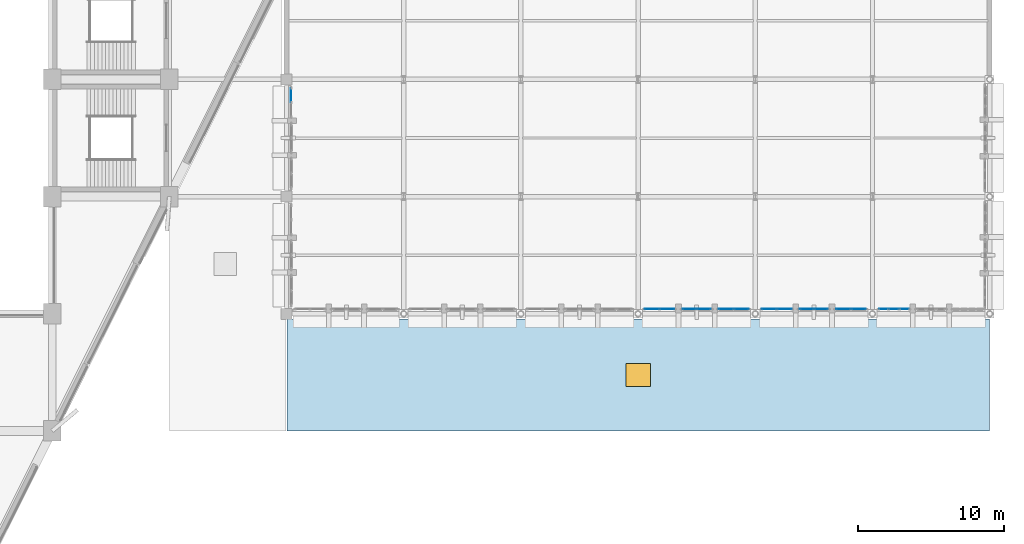
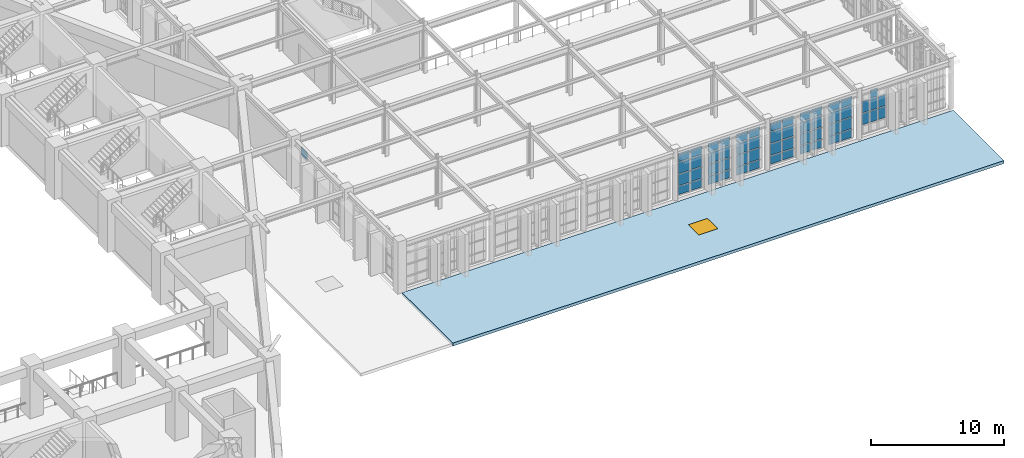
# One storey, part 111 of 155: 56 plates, 1 slab, 1 window, 1 opening, 8 elements without a shape of their own.
"""IFC4 building model written with IfcOpenShell, lengths in metres."""

from ifc_helpers import new_model, si_unit, direction, frame, origin, origin_2d, place, context, subcontext, project, spatial, polyline, rectangle, outline, extrude, material, layer, layer_set, type_object, element, fill, aggregate, save


model = new_model("IFC4")

# Units and contexts
model_context = context("Model", 3, precision=1e-05, world=origin(), true_north=direction((0.0, 1.0)))
body_context = subcontext(model_context, "Body", "Model", "MODEL_VIEW")
ifc_project = project(units=[si_unit("LENGTHUNIT", "METRE"), si_unit("AREAUNIT", "SQUARE_METRE"), si_unit("VOLUMEUNIT", "CUBIC_METRE"), si_unit("PLANEANGLEUNIT", "RADIAN"), si_unit("MASSUNIT", "GRAM", prefix="KILO")], contexts=[model_context])

# Site, building, storey
site_placement = place(None, origin())
site = spatial("IfcSite", under=ifc_project, at=site_placement, CompositionType="ELEMENT")
building_placement = place(site_placement, origin())
building = spatial("IfcBuilding", under=site, at=building_placement, Name="Tazarka Park Arena", CompositionType="ELEMENT")
storey_placement = place(building_placement, frame((0.0, 0.0, 5.39990234375)))
storey = spatial("IfcBuildingStorey", under=building, at=storey_placement, Name="L01", CompositionType="ELEMENT", Elevation=5.39990234375)

# Curtain wall, plate
ifc_material_1 = material(Name="Aluminium and low-e glass", Category="aluminium")
ifc_layer_1 = layer(ifc_material_1, 0.179931640625, Name="Aluminium and low-e glass")
ifc_layer_set_1 = layer_set([ifc_layer_1], Name="Aluminium and low-e glass")
curtain_wall_type_1 = type_object("IfcCurtainWallType", Name="CW-12", PredefinedType="NOTDEFINED", material=ifc_layer_set_1)
curtain_wall_1_placement = place(storey_placement, origin())
curtain_wall_1 = element("IfcCurtainWall", 1, at=curtain_wall_1_placement, inside=storey, type_object=curtain_wall_type_1, Name="Curtain Wall CWA-L01-162", PredefinedType="NOTDEFINED")
ifc_material_2 = material(Name="Double low-e insulated glazing", Category="glass")
ifc_layer_2 = layer(ifc_material_2, 0.028076171875, Name="Double low-e insulated glazing")
ifc_layer_set_2 = layer_set([ifc_layer_2], Name="Double low-e insulated glazing")
plate_type_1 = type_object("IfcPlateType", Name="CWP-01", PredefinedType="CURTAIN_PANEL", material=ifc_layer_set_2)
plate_1_placement = place(storey_placement, frame((136.320068359375, 54.91552734375, 3.08251953125), z_axis=(0.0, 0.0, 1.0), x_axis=(0.0, 1.0, 0.0)))
plate_1 = element("IfcPlate", 2, at=plate_1_placement, type_object=plate_type_1, Name="CW-12 panel 2.4", PredefinedType="CURTAIN_PANEL", context=body_context, shape_type="SweptSolid", body=[
    extrude(rectangle(XDim=0.92919921875, YDim=0.028076171875, at=origin_2d()), origin(), (0.0, 0.0, 1.0), 0.75244140625),
])
aggregate(curtain_wall_1, [plate_1])

# Curtain wall, plates
ifc_material_3 = material(Name="Aluminium and low-e glass", Category="aluminium")
ifc_layer_3 = layer(ifc_material_3, 0.179931640625, Name="Aluminium and low-e glass")
ifc_layer_set_3 = layer_set([ifc_layer_3], Name="Aluminium and low-e glass")
curtain_wall_type_2 = type_object("IfcCurtainWallType", Name="CW-27", PredefinedType="NOTDEFINED", material=ifc_layer_set_3)
curtain_wall_2_placement = place(storey_placement, origin())
curtain_wall_2 = element("IfcCurtainWall", 3, at=curtain_wall_2_placement, inside=storey, type_object=curtain_wall_type_2, Name="Curtain Wall CWA-L01-177", PredefinedType="NOTDEFINED")
plate_2_placement = place(storey_placement, frame((161.992919921875, 40.320068359375, 0.065185546875), z_axis=(0.0, 0.0, 1.0), x_axis=(-1.0, 0.0, 0.0)))
plate_2 = element("IfcPlate", 4, at=plate_2_placement, type_object=plate_type_1, Name="CW-27 panel 1.1", PredefinedType="CURTAIN_PANEL", context=body_context, shape_type="SweptSolid", body=[
    extrude(rectangle(XDim=0.986328125, YDim=0.028076171875, at=origin_2d()), origin(), (0.0, 0.0, 1.0), 0.75244140625),
])
plate_3_placement = place(storey_placement, frame((161.992919921875, 40.320068359375, 0.8828125), z_axis=(0.0, 0.0, 1.0), x_axis=(-1.0, 0.0, 0.0)))
plate_3 = element("IfcPlate", 5, at=plate_3_placement, type_object=plate_type_1, Name="CW-27 panel 1.2", PredefinedType="CURTAIN_PANEL", context=body_context, shape_type="SweptSolid", body=[
    extrude(rectangle(XDim=0.986328125, YDim=0.028076171875, at=origin_2d()), origin(), (0.0, 0.0, 1.0), 1.034912109375),
])
plate_4_placement = place(storey_placement, frame((161.992919921875, 40.320068359375, 1.982421875), z_axis=(0.0, 0.0, 1.0), x_axis=(-1.0, 0.0, 0.0)))
plate_4 = element("IfcPlate", 6, at=plate_4_placement, type_object=plate_type_1, Name="CW-27 panel 1.3", PredefinedType="CURTAIN_PANEL", context=body_context, shape_type="SweptSolid", body=[
    extrude(rectangle(XDim=0.986328125, YDim=0.028076171875, at=origin_2d()), origin(), (0.0, 0.0, 1.0), 1.034912109375),
])
plate_5_placement = place(storey_placement, frame((161.992919921875, 40.320068359375, 3.08251953125), z_axis=(0.0, 0.0, 1.0), x_axis=(-1.0, 0.0, 0.0)))
plate_5 = element("IfcPlate", 7, at=plate_5_placement, type_object=plate_type_1, Name="CW-27 panel 1.4", PredefinedType="CURTAIN_PANEL", context=body_context, shape_type="SweptSolid", body=[
    extrude(rectangle(XDim=0.986328125, YDim=0.028076171875, at=origin_2d()), origin(), (0.0, 0.0, 1.0), 0.762451171875),
])
plate_6_placement = place(storey_placement, frame((160.94140625, 40.320068359375, 0.065185546875), z_axis=(0.0, 0.0, 1.0), x_axis=(-1.0, 0.0, 0.0)))
plate_6 = element("IfcPlate", 8, at=plate_6_placement, type_object=plate_type_1, Name="CW-27 panel 2.1", PredefinedType="CURTAIN_PANEL", context=body_context, shape_type="SweptSolid", body=[
    extrude(rectangle(XDim=0.986328125, YDim=0.028076171875, at=origin_2d()), origin(), (0.0, 0.0, 1.0), 0.75244140625),
])
plate_7_placement = place(storey_placement, frame((160.94140625, 40.320068359375, 0.8828125), z_axis=(0.0, 0.0, 1.0), x_axis=(-1.0, 0.0, 0.0)))
plate_7 = element("IfcPlate", 9, at=plate_7_placement, type_object=plate_type_1, Name="CW-27 panel 2.2", PredefinedType="CURTAIN_PANEL", context=body_context, shape_type="SweptSolid", body=[
    extrude(rectangle(XDim=0.986328125, YDim=0.028076171875, at=origin_2d()), origin(), (0.0, 0.0, 1.0), 1.034912109375),
])
plate_8_placement = place(storey_placement, frame((160.94140625, 40.320068359375, 1.982421875), z_axis=(0.0, 0.0, 1.0), x_axis=(-1.0, 0.0, 0.0)))
plate_8 = element("IfcPlate", 10, at=plate_8_placement, type_object=plate_type_1, Name="CW-27 panel 2.3", PredefinedType="CURTAIN_PANEL", context=body_context, shape_type="SweptSolid", body=[
    extrude(rectangle(XDim=0.986328125, YDim=0.028076171875, at=origin_2d()), origin(), (0.0, 0.0, 1.0), 1.034912109375),
])
plate_9_placement = place(storey_placement, frame((160.94140625, 40.320068359375, 3.08251953125), z_axis=(0.0, 0.0, 1.0), x_axis=(-1.0, 0.0, 0.0)))
plate_9 = element("IfcPlate", 11, at=plate_9_placement, type_object=plate_type_1, Name="CW-27 panel 2.4", PredefinedType="CURTAIN_PANEL", context=body_context, shape_type="SweptSolid", body=[
    extrude(rectangle(XDim=0.986328125, YDim=0.028076171875, at=origin_2d()), origin(), (0.0, 0.0, 1.0), 0.762451171875),
])
aggregate(curtain_wall_2, [plate_2, plate_3, plate_4, plate_5, plate_6, plate_7, plate_8, plate_9])

ifc_material_4 = material(Name="Aluminium and low-e glass", Category="aluminium")
ifc_layer_4 = layer(ifc_material_4, 0.179931640625, Name="Aluminium and low-e glass")
ifc_layer_set_4 = layer_set([ifc_layer_4], Name="Aluminium and low-e glass")
curtain_wall_type_3 = type_object("IfcCurtainWallType", Name="CW-30", PredefinedType="NOTDEFINED", material=ifc_layer_set_4)
curtain_wall_3_placement = place(storey_placement, origin())
curtain_wall_3 = element("IfcCurtainWall", 12, at=curtain_wall_3_placement, inside=storey, type_object=curtain_wall_type_3, Name="Curtain Wall CWA-L01-180", PredefinedType="NOTDEFINED")
plate_10_placement = place(storey_placement, frame((169.992919921875, 40.320068359375, 0.065185546875), z_axis=(0.0, 0.0, 1.0), x_axis=(-1.0, 0.0, 0.0)))
plate_10 = element("IfcPlate", 13, at=plate_10_placement, type_object=plate_type_1, Name="CW-30 panel 1.1", PredefinedType="CURTAIN_PANEL", context=body_context, shape_type="SweptSolid", body=[
    extrude(rectangle(XDim=0.986328125, YDim=0.028076171875, at=origin_2d()), origin(), (0.0, 0.0, 1.0), 0.75244140625),
])
plate_11_placement = place(storey_placement, frame((169.992919921875, 40.320068359375, 0.8828125), z_axis=(0.0, 0.0, 1.0), x_axis=(-1.0, 0.0, 0.0)))
plate_11 = element("IfcPlate", 14, at=plate_11_placement, type_object=plate_type_1, Name="CW-30 panel 1.2", PredefinedType="CURTAIN_PANEL", context=body_context, shape_type="SweptSolid", body=[
    extrude(rectangle(XDim=0.986328125, YDim=0.028076171875, at=origin_2d()), origin(), (0.0, 0.0, 1.0), 1.034912109375),
])
plate_12_placement = place(storey_placement, frame((169.992919921875, 40.320068359375, 1.982421875), z_axis=(0.0, 0.0, 1.0), x_axis=(-1.0, 0.0, 0.0)))
plate_12 = element("IfcPlate", 15, at=plate_12_placement, type_object=plate_type_1, Name="CW-30 panel 1.3", PredefinedType="CURTAIN_PANEL", context=body_context, shape_type="SweptSolid", body=[
    extrude(rectangle(XDim=0.986328125, YDim=0.028076171875, at=origin_2d()), origin(), (0.0, 0.0, 1.0), 1.034912109375),
])
plate_13_placement = place(storey_placement, frame((169.992919921875, 40.320068359375, 3.08251953125), z_axis=(0.0, 0.0, 1.0), x_axis=(-1.0, 0.0, 0.0)))
plate_13 = element("IfcPlate", 16, at=plate_13_placement, type_object=plate_type_1, Name="CW-30 panel 1.4", PredefinedType="CURTAIN_PANEL", context=body_context, shape_type="SweptSolid", body=[
    extrude(rectangle(XDim=0.986328125, YDim=0.028076171875, at=origin_2d()), origin(), (0.0, 0.0, 1.0), 0.762451171875),
])
plate_14_placement = place(storey_placement, frame((168.94140625, 40.320068359375, 0.065185546875), z_axis=(0.0, 0.0, 1.0), x_axis=(-1.0, 0.0, 0.0)))
plate_14 = element("IfcPlate", 17, at=plate_14_placement, type_object=plate_type_1, Name="CW-30 panel 2.1", PredefinedType="CURTAIN_PANEL", context=body_context, shape_type="SweptSolid", body=[
    extrude(rectangle(XDim=0.986328125, YDim=0.028076171875, at=origin_2d()), origin(), (0.0, 0.0, 1.0), 0.75244140625),
])
plate_15_placement = place(storey_placement, frame((168.94140625, 40.320068359375, 0.8828125), z_axis=(0.0, 0.0, 1.0), x_axis=(-1.0, 0.0, 0.0)))
plate_15 = element("IfcPlate", 18, at=plate_15_placement, type_object=plate_type_1, Name="CW-30 panel 2.2", PredefinedType="CURTAIN_PANEL", context=body_context, shape_type="SweptSolid", body=[
    extrude(rectangle(XDim=0.986328125, YDim=0.028076171875, at=origin_2d()), origin(), (0.0, 0.0, 1.0), 1.034912109375),
])
plate_16_placement = place(storey_placement, frame((168.94140625, 40.320068359375, 1.982421875), z_axis=(0.0, 0.0, 1.0), x_axis=(-1.0, 0.0, 0.0)))
plate_16 = element("IfcPlate", 19, at=plate_16_placement, type_object=plate_type_1, Name="CW-30 panel 2.3", PredefinedType="CURTAIN_PANEL", context=body_context, shape_type="SweptSolid", body=[
    extrude(rectangle(XDim=0.986328125, YDim=0.028076171875, at=origin_2d()), origin(), (0.0, 0.0, 1.0), 1.034912109375),
])
plate_17_placement = place(storey_placement, frame((168.94140625, 40.320068359375, 3.08251953125), z_axis=(0.0, 0.0, 1.0), x_axis=(-1.0, 0.0, 0.0)))
plate_17 = element("IfcPlate", 20, at=plate_17_placement, type_object=plate_type_1, Name="CW-30 panel 2.4", PredefinedType="CURTAIN_PANEL", context=body_context, shape_type="SweptSolid", body=[
    extrude(rectangle(XDim=0.986328125, YDim=0.028076171875, at=origin_2d()), origin(), (0.0, 0.0, 1.0), 0.762451171875),
])
aggregate(curtain_wall_3, [plate_10, plate_11, plate_12, plate_13, plate_14, plate_15, plate_16, plate_17])

ifc_material_5 = material(Name="Aluminium and low-e glass", Category="aluminium")
ifc_layer_5 = layer(ifc_material_5, 0.179931640625, Name="Aluminium and low-e glass")
ifc_layer_set_5 = layer_set([ifc_layer_5], Name="Aluminium and low-e glass")
curtain_wall_type_4 = type_object("IfcCurtainWallType", Name="CW-03", PredefinedType="NOTDEFINED", material=ifc_layer_set_5)
curtain_wall_4_placement = place(storey_placement, origin())
curtain_wall_4 = element("IfcCurtainWall", 21, at=curtain_wall_4_placement, inside=storey, type_object=curtain_wall_type_4, Name="Curtain Wall CWA-L01-183", PredefinedType="NOTDEFINED")
plate_18_placement = place(storey_placement, frame((178.173583984375, 40.320068359375, 0.8828125), z_axis=(0.0, 0.0, 1.0), x_axis=(-1.0, 0.0, 0.0)))
plate_18 = element("IfcPlate", 22, at=plate_18_placement, type_object=plate_type_1, Name="CW-03 panel 1.2", PredefinedType="CURTAIN_PANEL", context=body_context, shape_type="SweptSolid", body=[
    extrude(rectangle(XDim=0.625244140625, YDim=0.028076171875, at=origin_2d()), origin(), (0.0, 0.0, 1.0), 1.034912109375),
])
plate_19_placement = place(storey_placement, frame((178.173583984375, 40.320068359375, 1.982421875), z_axis=(0.0, 0.0, 1.0), x_axis=(-1.0, 0.0, 0.0)))
plate_19 = element("IfcPlate", 23, at=plate_19_placement, type_object=plate_type_1, Name="CW-03 panel 1.3", PredefinedType="CURTAIN_PANEL", context=body_context, shape_type="SweptSolid", body=[
    extrude(rectangle(XDim=0.625244140625, YDim=0.028076171875, at=origin_2d()), origin(), (0.0, 0.0, 1.0), 1.034912109375),
])
plate_20_placement = place(storey_placement, frame((177.467041015625, 40.320068359375, 0.8828125), z_axis=(0.0, 0.0, 1.0), x_axis=(-1.0, 0.0, 0.0)))
plate_20 = element("IfcPlate", 24, at=plate_20_placement, type_object=plate_type_1, Name="CW-03 panel 2.2", PredefinedType="CURTAIN_PANEL", context=body_context, shape_type="SweptSolid", body=[
    extrude(rectangle(XDim=0.65771484375, YDim=0.028076171875, at=origin_2d()), origin(), (0.0, 0.0, 1.0), 1.034912109375),
])
plate_21_placement = place(storey_placement, frame((177.467041015625, 40.320068359375, 1.982421875), z_axis=(0.0, 0.0, 1.0), x_axis=(-1.0, 0.0, 0.0)))
plate_21 = element("IfcPlate", 25, at=plate_21_placement, type_object=plate_type_1, Name="CW-03 panel 2.3", PredefinedType="CURTAIN_PANEL", context=body_context, shape_type="SweptSolid", body=[
    extrude(rectangle(XDim=0.65771484375, YDim=0.028076171875, at=origin_2d()), origin(), (0.0, 0.0, 1.0), 1.034912109375),
])
plate_22_placement = place(storey_placement, frame((177.467041015625, 40.320068359375, 3.08251953125), z_axis=(0.0, 0.0, 1.0), x_axis=(-1.0, 0.0, 0.0)))
plate_22 = element("IfcPlate", 26, at=plate_22_placement, type_object=plate_type_1, Name="CW-03 panel 2.4", PredefinedType="CURTAIN_PANEL", context=body_context, shape_type="SweptSolid", body=[
    extrude(rectangle(XDim=0.65771484375, YDim=0.028076171875, at=origin_2d()), origin(), (0.0, 0.0, 1.0), 0.762451171875),
])
plate_23_placement = place(storey_placement, frame((176.7607421875, 40.320068359375, 0.8828125), z_axis=(0.0, 0.0, 1.0), x_axis=(-1.0, 0.0, 0.0)))
plate_23 = element("IfcPlate", 27, at=plate_23_placement, type_object=plate_type_1, Name="CW-03 panel 3.2", PredefinedType="CURTAIN_PANEL", context=body_context, shape_type="SweptSolid", body=[
    extrude(rectangle(XDim=0.625244140625, YDim=0.028076171875, at=origin_2d()), origin(), (0.0, 0.0, 1.0), 1.034912109375),
])
plate_24_placement = place(storey_placement, frame((176.7607421875, 40.320068359375, 1.982421875), z_axis=(0.0, 0.0, 1.0), x_axis=(-1.0, 0.0, 0.0)))
plate_24 = element("IfcPlate", 28, at=plate_24_placement, type_object=plate_type_1, Name="CW-03 panel 3.3", PredefinedType="CURTAIN_PANEL", context=body_context, shape_type="SweptSolid", body=[
    extrude(rectangle(XDim=0.625244140625, YDim=0.028076171875, at=origin_2d()), origin(), (0.0, 0.0, 1.0), 1.034912109375),
])
aggregate(curtain_wall_4, [plate_18, plate_19, plate_20, plate_21, plate_22, plate_23, plate_24])

ifc_material_6 = material(Name="Aluminium and low-e glass", Category="aluminium")
ifc_layer_6 = layer(ifc_material_6, 0.179931640625, Name="Aluminium and low-e glass")
ifc_layer_set_6 = layer_set([ifc_layer_6], Name="Aluminium and low-e glass")
curtain_wall_type_5 = type_object("IfcCurtainWallType", Name="CW-25", PredefinedType="NOTDEFINED", material=ifc_layer_set_6)
curtain_wall_5_placement = place(storey_placement, origin())
curtain_wall_5 = element("IfcCurtainWall", 29, at=curtain_wall_5_placement, inside=storey, type_object=curtain_wall_type_5, Name="Curtain Wall CWA-L01-175", PredefinedType="NOTDEFINED")
ifc_material_7 = material(Name="Triple acoustic solar glazing", Category="glass")
ifc_layer_7 = layer(ifc_material_7, 0.031982421875, Name="Triple acoustic solar glazing")
ifc_layer_set_7 = layer_set([ifc_layer_7], Name="Triple acoustic solar glazing")
plate_type_2 = type_object("IfcPlateType", Name="CWP-02", PredefinedType="CURTAIN_PANEL", material=ifc_layer_set_7)
plate_25_placement = place(storey_placement, frame((167.05859375, 40.320068359375, 0.065185546875), z_axis=(0.0, 0.0, 1.0), x_axis=(-1.0, 0.0, 0.0)))
plate_25 = element("IfcPlate", 30, at=plate_25_placement, type_object=plate_type_2, Name="CW-25 panel 1.1", PredefinedType="CURTAIN_PANEL", context=body_context, shape_type="SweptSolid", body=[
    extrude(rectangle(XDim=0.986328125, YDim=0.031982421875, at=origin_2d()), origin(), (0.0, 0.0, 1.0), 0.75244140625),
])
plate_26_placement = place(storey_placement, frame((167.05859375, 40.320068359375, 0.8828125), z_axis=(0.0, 0.0, 1.0), x_axis=(-1.0, 0.0, 0.0)))
plate_26 = element("IfcPlate", 31, at=plate_26_placement, type_object=plate_type_2, Name="CW-25 panel 1.2", PredefinedType="CURTAIN_PANEL", context=body_context, shape_type="SweptSolid", body=[
    extrude(rectangle(XDim=0.986328125, YDim=0.031982421875, at=origin_2d()), origin(), (0.0, 0.0, 1.0), 1.034912109375),
])
plate_27_placement = place(storey_placement, frame((167.05859375, 40.320068359375, 1.982421875), z_axis=(0.0, 0.0, 1.0), x_axis=(-1.0, 0.0, 0.0)))
plate_27 = element("IfcPlate", 32, at=plate_27_placement, type_object=plate_type_2, Name="CW-25 panel 1.3", PredefinedType="CURTAIN_PANEL", context=body_context, shape_type="SweptSolid", body=[
    extrude(rectangle(XDim=0.986328125, YDim=0.031982421875, at=origin_2d()), origin(), (0.0, 0.0, 1.0), 1.034912109375),
])
plate_28_placement = place(storey_placement, frame((167.05859375, 40.320068359375, 3.08251953125), z_axis=(0.0, 0.0, 1.0), x_axis=(-1.0, 0.0, 0.0)))
plate_28 = element("IfcPlate", 33, at=plate_28_placement, type_object=plate_type_2, Name="CW-25 panel 1.4", PredefinedType="CURTAIN_PANEL", context=body_context, shape_type="SweptSolid", body=[
    extrude(rectangle(XDim=0.986328125, YDim=0.031982421875, at=origin_2d()), origin(), (0.0, 0.0, 1.0), 0.762451171875),
])
plate_29_placement = place(storey_placement, frame((166.007080078125, 40.320068359375, 0.065185546875), z_axis=(0.0, 0.0, 1.0), x_axis=(-1.0, 0.0, 0.0)))
plate_29 = element("IfcPlate", 34, at=plate_29_placement, type_object=plate_type_2, Name="CW-25 panel 2.1", PredefinedType="CURTAIN_PANEL", context=body_context, shape_type="SweptSolid", body=[
    extrude(rectangle(XDim=0.986328125, YDim=0.031982421875, at=origin_2d()), origin(), (0.0, 0.0, 1.0), 0.75244140625),
])
plate_30_placement = place(storey_placement, frame((166.007080078125, 40.320068359375, 0.8828125), z_axis=(0.0, 0.0, 1.0), x_axis=(-1.0, 0.0, 0.0)))
plate_30 = element("IfcPlate", 35, at=plate_30_placement, type_object=plate_type_2, Name="CW-25 panel 2.2", PredefinedType="CURTAIN_PANEL", context=body_context, shape_type="SweptSolid", body=[
    extrude(rectangle(XDim=0.986328125, YDim=0.031982421875, at=origin_2d()), origin(), (0.0, 0.0, 1.0), 1.034912109375),
])
plate_31_placement = place(storey_placement, frame((166.007080078125, 40.320068359375, 1.982421875), z_axis=(0.0, 0.0, 1.0), x_axis=(-1.0, 0.0, 0.0)))
plate_31 = element("IfcPlate", 36, at=plate_31_placement, type_object=plate_type_2, Name="CW-25 panel 2.3", PredefinedType="CURTAIN_PANEL", context=body_context, shape_type="SweptSolid", body=[
    extrude(rectangle(XDim=0.986328125, YDim=0.031982421875, at=origin_2d()), origin(), (0.0, 0.0, 1.0), 1.034912109375),
])
plate_32_placement = place(storey_placement, frame((166.007080078125, 40.320068359375, 3.08251953125), z_axis=(0.0, 0.0, 1.0), x_axis=(-1.0, 0.0, 0.0)))
plate_32 = element("IfcPlate", 37, at=plate_32_placement, type_object=plate_type_2, Name="CW-25 panel 2.4", PredefinedType="CURTAIN_PANEL", context=body_context, shape_type="SweptSolid", body=[
    extrude(rectangle(XDim=0.986328125, YDim=0.031982421875, at=origin_2d()), origin(), (0.0, 0.0, 1.0), 0.762451171875),
])
aggregate(curtain_wall_5, [plate_25, plate_26, plate_27, plate_28, plate_29, plate_30, plate_31, plate_32])

ifc_material_8 = material(Name="Aluminium and low-e glass", Category="aluminium")
ifc_layer_8 = layer(ifc_material_8, 0.179931640625, Name="Aluminium and low-e glass")
ifc_layer_set_8 = layer_set([ifc_layer_8], Name="Aluminium and low-e glass")
curtain_wall_type_6 = type_object("IfcCurtainWallType", Name="CW-28", PredefinedType="NOTDEFINED", material=ifc_layer_set_8)
curtain_wall_6_placement = place(storey_placement, origin())
curtain_wall_6 = element("IfcCurtainWall", 38, at=curtain_wall_6_placement, inside=storey, type_object=curtain_wall_type_6, Name="Curtain Wall CWA-L01-178", PredefinedType="NOTDEFINED")
plate_33_placement = place(storey_placement, frame((175.05859375, 40.320068359375, 0.065185546875), z_axis=(0.0, 0.0, 1.0), x_axis=(-1.0, 0.0, 0.0)))
plate_33 = element("IfcPlate", 39, at=plate_33_placement, type_object=plate_type_2, Name="CW-28 panel 1.1", PredefinedType="CURTAIN_PANEL", context=body_context, shape_type="SweptSolid", body=[
    extrude(rectangle(XDim=0.986328125, YDim=0.031982421875, at=origin_2d()), origin(), (0.0, 0.0, 1.0), 0.75244140625),
])
plate_34_placement = place(storey_placement, frame((175.05859375, 40.320068359375, 0.8828125), z_axis=(0.0, 0.0, 1.0), x_axis=(-1.0, 0.0, 0.0)))
plate_34 = element("IfcPlate", 40, at=plate_34_placement, type_object=plate_type_2, Name="CW-28 panel 1.2", PredefinedType="CURTAIN_PANEL", context=body_context, shape_type="SweptSolid", body=[
    extrude(rectangle(XDim=0.986328125, YDim=0.031982421875, at=origin_2d()), origin(), (0.0, 0.0, 1.0), 1.034912109375),
])
plate_35_placement = place(storey_placement, frame((175.05859375, 40.320068359375, 1.982421875), z_axis=(0.0, 0.0, 1.0), x_axis=(-1.0, 0.0, 0.0)))
plate_35 = element("IfcPlate", 41, at=plate_35_placement, type_object=plate_type_2, Name="CW-28 panel 1.3", PredefinedType="CURTAIN_PANEL", context=body_context, shape_type="SweptSolid", body=[
    extrude(rectangle(XDim=0.986328125, YDim=0.031982421875, at=origin_2d()), origin(), (0.0, 0.0, 1.0), 1.034912109375),
])
plate_36_placement = place(storey_placement, frame((175.05859375, 40.320068359375, 3.08251953125), z_axis=(0.0, 0.0, 1.0), x_axis=(-1.0, 0.0, 0.0)))
plate_36 = element("IfcPlate", 42, at=plate_36_placement, type_object=plate_type_2, Name="CW-28 panel 1.4", PredefinedType="CURTAIN_PANEL", context=body_context, shape_type="SweptSolid", body=[
    extrude(rectangle(XDim=0.986328125, YDim=0.031982421875, at=origin_2d()), origin(), (0.0, 0.0, 1.0), 0.762451171875),
])
plate_37_placement = place(storey_placement, frame((174.007080078125, 40.320068359375, 0.065185546875), z_axis=(0.0, 0.0, 1.0), x_axis=(-1.0, 0.0, 0.0)))
plate_37 = element("IfcPlate", 43, at=plate_37_placement, type_object=plate_type_2, Name="CW-28 panel 2.1", PredefinedType="CURTAIN_PANEL", context=body_context, shape_type="SweptSolid", body=[
    extrude(rectangle(XDim=0.986328125, YDim=0.031982421875, at=origin_2d()), origin(), (0.0, 0.0, 1.0), 0.75244140625),
])
plate_38_placement = place(storey_placement, frame((174.007080078125, 40.320068359375, 0.8828125), z_axis=(0.0, 0.0, 1.0), x_axis=(-1.0, 0.0, 0.0)))
plate_38 = element("IfcPlate", 44, at=plate_38_placement, type_object=plate_type_2, Name="CW-28 panel 2.2", PredefinedType="CURTAIN_PANEL", context=body_context, shape_type="SweptSolid", body=[
    extrude(rectangle(XDim=0.986328125, YDim=0.031982421875, at=origin_2d()), origin(), (0.0, 0.0, 1.0), 1.034912109375),
])
plate_39_placement = place(storey_placement, frame((174.007080078125, 40.320068359375, 1.982421875), z_axis=(0.0, 0.0, 1.0), x_axis=(-1.0, 0.0, 0.0)))
plate_39 = element("IfcPlate", 45, at=plate_39_placement, type_object=plate_type_2, Name="CW-28 panel 2.3", PredefinedType="CURTAIN_PANEL", context=body_context, shape_type="SweptSolid", body=[
    extrude(rectangle(XDim=0.986328125, YDim=0.031982421875, at=origin_2d()), origin(), (0.0, 0.0, 1.0), 1.034912109375),
])
plate_40_placement = place(storey_placement, frame((174.007080078125, 40.320068359375, 3.08251953125), z_axis=(0.0, 0.0, 1.0), x_axis=(-1.0, 0.0, 0.0)))
plate_40 = element("IfcPlate", 46, at=plate_40_placement, type_object=plate_type_2, Name="CW-28 panel 2.4", PredefinedType="CURTAIN_PANEL", context=body_context, shape_type="SweptSolid", body=[
    extrude(rectangle(XDim=0.986328125, YDim=0.031982421875, at=origin_2d()), origin(), (0.0, 0.0, 1.0), 0.762451171875),
])
aggregate(curtain_wall_6, [plate_33, plate_34, plate_35, plate_36, plate_37, plate_38, plate_39, plate_40])

ifc_material_9 = material(Name="Aluminium and low-e glass", Category="aluminium")
ifc_layer_9 = layer(ifc_material_9, 0.179931640625, Name="Aluminium and low-e glass")
ifc_layer_set_9 = layer_set([ifc_layer_9], Name="Aluminium and low-e glass")
curtain_wall_type_7 = type_object("IfcCurtainWallType", Name="CW-26", PredefinedType="NOTDEFINED", material=ifc_layer_set_9)
curtain_wall_7_placement = place(storey_placement, origin())
curtain_wall_7 = element("IfcCurtainWall", 47, at=curtain_wall_7_placement, inside=storey, type_object=curtain_wall_type_7, Name="Curtain Wall CWA-L01-176", PredefinedType="NOTDEFINED")
ifc_material_10 = material(Name="Insulated aluminium spandrel panel", Category="aluminium")
ifc_layer_10 = layer(ifc_material_10, 0.035888671875, Name="Insulated aluminium spandrel panel")
ifc_layer_set_10 = layer_set([ifc_layer_10], Name="Insulated aluminium spandrel panel")
plate_type_3 = type_object("IfcPlateType", Name="CWP-03", PredefinedType="CURTAIN_PANEL", material=ifc_layer_set_10)
plate_41_placement = place(storey_placement, frame((164.49560546875, 40.320068359375, 0.0751953125), z_axis=(0.0, 0.0, 1.0), x_axis=(-1.0, 0.0, 0.0)))
plate_41 = element("IfcPlate", 48, at=plate_41_placement, type_object=plate_type_3, Name="CW-26 panel 1.1", PredefinedType="CURTAIN_PANEL", context=body_context, shape_type="SweptSolid", body=[
    extrude(rectangle(XDim=0.91650390625, YDim=0.035888671875, at=origin_2d()), origin(), (0.0, 0.0, 1.0), 0.737548828125),
])
plate_42_placement = place(storey_placement, frame((164.49560546875, 40.320068359375, 0.8876953125), z_axis=(0.0, 0.0, 1.0), x_axis=(-1.0, 0.0, 0.0)))
plate_42 = element("IfcPlate", 49, at=plate_42_placement, type_object=plate_type_3, Name="CW-26 panel 1.2", PredefinedType="CURTAIN_PANEL", context=body_context, shape_type="SweptSolid", body=[
    extrude(rectangle(XDim=0.91650390625, YDim=0.035888671875, at=origin_2d()), origin(), (0.0, 0.0, 1.0), 1.02490234375),
])
plate_43_placement = place(storey_placement, frame((164.49560546875, 40.320068359375, 1.987548828125), z_axis=(0.0, 0.0, 1.0), x_axis=(-1.0, 0.0, 0.0)))
plate_43 = element("IfcPlate", 50, at=plate_43_placement, type_object=plate_type_3, Name="CW-26 panel 1.3", PredefinedType="CURTAIN_PANEL", context=body_context, shape_type="SweptSolid", body=[
    extrude(rectangle(XDim=0.91650390625, YDim=0.035888671875, at=origin_2d()), origin(), (0.0, 0.0, 1.0), 1.02490234375),
])
plate_44_placement = place(storey_placement, frame((164.49560546875, 40.320068359375, 3.087646484375), z_axis=(0.0, 0.0, 1.0), x_axis=(-1.0, 0.0, 0.0)))
plate_44 = element("IfcPlate", 51, at=plate_44_placement, type_object=plate_type_3, Name="CW-26 panel 1.4", PredefinedType="CURTAIN_PANEL", context=body_context, shape_type="SweptSolid", body=[
    extrude(rectangle(XDim=0.91650390625, YDim=0.035888671875, at=origin_2d()), origin(), (0.0, 0.0, 1.0), 0.74755859375),
])
plate_45_placement = place(storey_placement, frame((163.50439453125, 40.320068359375, 0.0751953125), z_axis=(0.0, 0.0, 1.0), x_axis=(-1.0, 0.0, 0.0)))
plate_45 = element("IfcPlate", 52, at=plate_45_placement, type_object=plate_type_3, Name="CW-26 panel 2.1", PredefinedType="CURTAIN_PANEL", context=body_context, shape_type="SweptSolid", body=[
    extrude(rectangle(XDim=0.91650390625, YDim=0.035888671875, at=origin_2d()), origin(), (0.0, 0.0, 1.0), 0.737548828125),
])
plate_46_placement = place(storey_placement, frame((163.50439453125, 40.320068359375, 0.8876953125), z_axis=(0.0, 0.0, 1.0), x_axis=(-1.0, 0.0, 0.0)))
plate_46 = element("IfcPlate", 53, at=plate_46_placement, type_object=plate_type_3, Name="CW-26 panel 2.2", PredefinedType="CURTAIN_PANEL", context=body_context, shape_type="SweptSolid", body=[
    extrude(rectangle(XDim=0.91650390625, YDim=0.035888671875, at=origin_2d()), origin(), (0.0, 0.0, 1.0), 1.02490234375),
])
plate_47_placement = place(storey_placement, frame((163.50439453125, 40.320068359375, 1.987548828125), z_axis=(0.0, 0.0, 1.0), x_axis=(-1.0, 0.0, 0.0)))
plate_47 = element("IfcPlate", 54, at=plate_47_placement, type_object=plate_type_3, Name="CW-26 panel 2.3", PredefinedType="CURTAIN_PANEL", context=body_context, shape_type="SweptSolid", body=[
    extrude(rectangle(XDim=0.91650390625, YDim=0.035888671875, at=origin_2d()), origin(), (0.0, 0.0, 1.0), 1.02490234375),
])
plate_48_placement = place(storey_placement, frame((163.50439453125, 40.320068359375, 3.087646484375), z_axis=(0.0, 0.0, 1.0), x_axis=(-1.0, 0.0, 0.0)))
plate_48 = element("IfcPlate", 55, at=plate_48_placement, type_object=plate_type_3, Name="CW-26 panel 2.4", PredefinedType="CURTAIN_PANEL", context=body_context, shape_type="SweptSolid", body=[
    extrude(rectangle(XDim=0.91650390625, YDim=0.035888671875, at=origin_2d()), origin(), (0.0, 0.0, 1.0), 0.74755859375),
])
aggregate(curtain_wall_7, [plate_41, plate_42, plate_43, plate_44, plate_45, plate_46, plate_47, plate_48])

ifc_material_11 = material(Name="Aluminium and low-e glass", Category="aluminium")
ifc_layer_11 = layer(ifc_material_11, 0.179931640625, Name="Aluminium and low-e glass")
ifc_layer_set_11 = layer_set([ifc_layer_11], Name="Aluminium and low-e glass")
curtain_wall_type_8 = type_object("IfcCurtainWallType", Name="CW-29", PredefinedType="NOTDEFINED", material=ifc_layer_set_11)
curtain_wall_8_placement = place(storey_placement, origin())
curtain_wall_8 = element("IfcCurtainWall", 56, at=curtain_wall_8_placement, inside=storey, type_object=curtain_wall_type_8, Name="Curtain Wall CWA-L01-179", PredefinedType="NOTDEFINED")
plate_49_placement = place(storey_placement, frame((172.49560546875, 40.320068359375, 0.0751953125), z_axis=(0.0, 0.0, 1.0), x_axis=(-1.0, 0.0, 0.0)))
plate_49 = element("IfcPlate", 57, at=plate_49_placement, type_object=plate_type_3, Name="CW-29 panel 1.1", PredefinedType="CURTAIN_PANEL", context=body_context, shape_type="SweptSolid", body=[
    extrude(rectangle(XDim=0.91650390625, YDim=0.035888671875, at=origin_2d()), origin(), (0.0, 0.0, 1.0), 0.737548828125),
])
plate_50_placement = place(storey_placement, frame((172.49560546875, 40.320068359375, 0.8876953125), z_axis=(0.0, 0.0, 1.0), x_axis=(-1.0, 0.0, 0.0)))
plate_50 = element("IfcPlate", 58, at=plate_50_placement, type_object=plate_type_3, Name="CW-29 panel 1.2", PredefinedType="CURTAIN_PANEL", context=body_context, shape_type="SweptSolid", body=[
    extrude(rectangle(XDim=0.91650390625, YDim=0.035888671875, at=origin_2d()), origin(), (0.0, 0.0, 1.0), 1.02490234375),
])
plate_51_placement = place(storey_placement, frame((172.49560546875, 40.320068359375, 1.987548828125), z_axis=(0.0, 0.0, 1.0), x_axis=(-1.0, 0.0, 0.0)))
plate_51 = element("IfcPlate", 59, at=plate_51_placement, type_object=plate_type_3, Name="CW-29 panel 1.3", PredefinedType="CURTAIN_PANEL", context=body_context, shape_type="SweptSolid", body=[
    extrude(rectangle(XDim=0.91650390625, YDim=0.035888671875, at=origin_2d()), origin(), (0.0, 0.0, 1.0), 1.02490234375),
])
plate_52_placement = place(storey_placement, frame((172.49560546875, 40.320068359375, 3.087646484375), z_axis=(0.0, 0.0, 1.0), x_axis=(-1.0, 0.0, 0.0)))
plate_52 = element("IfcPlate", 60, at=plate_52_placement, type_object=plate_type_3, Name="CW-29 panel 1.4", PredefinedType="CURTAIN_PANEL", context=body_context, shape_type="SweptSolid", body=[
    extrude(rectangle(XDim=0.91650390625, YDim=0.035888671875, at=origin_2d()), origin(), (0.0, 0.0, 1.0), 0.74755859375),
])
plate_53_placement = place(storey_placement, frame((171.50439453125, 40.320068359375, 0.0751953125), z_axis=(0.0, 0.0, 1.0), x_axis=(-1.0, 0.0, 0.0)))
plate_53 = element("IfcPlate", 61, at=plate_53_placement, type_object=plate_type_3, Name="CW-29 panel 2.1", PredefinedType="CURTAIN_PANEL", context=body_context, shape_type="SweptSolid", body=[
    extrude(rectangle(XDim=0.91650390625, YDim=0.035888671875, at=origin_2d()), origin(), (0.0, 0.0, 1.0), 0.737548828125),
])
plate_54_placement = place(storey_placement, frame((171.50439453125, 40.320068359375, 0.8876953125), z_axis=(0.0, 0.0, 1.0), x_axis=(-1.0, 0.0, 0.0)))
plate_54 = element("IfcPlate", 62, at=plate_54_placement, type_object=plate_type_3, Name="CW-29 panel 2.2", PredefinedType="CURTAIN_PANEL", context=body_context, shape_type="SweptSolid", body=[
    extrude(rectangle(XDim=0.91650390625, YDim=0.035888671875, at=origin_2d()), origin(), (0.0, 0.0, 1.0), 1.02490234375),
])
plate_55_placement = place(storey_placement, frame((171.50439453125, 40.320068359375, 1.987548828125), z_axis=(0.0, 0.0, 1.0), x_axis=(-1.0, 0.0, 0.0)))
plate_55 = element("IfcPlate", 63, at=plate_55_placement, type_object=plate_type_3, Name="CW-29 panel 2.3", PredefinedType="CURTAIN_PANEL", context=body_context, shape_type="SweptSolid", body=[
    extrude(rectangle(XDim=0.91650390625, YDim=0.035888671875, at=origin_2d()), origin(), (0.0, 0.0, 1.0), 1.02490234375),
])
plate_56_placement = place(storey_placement, frame((171.50439453125, 40.320068359375, 3.087646484375), z_axis=(0.0, 0.0, 1.0), x_axis=(-1.0, 0.0, 0.0)))
plate_56 = element("IfcPlate", 64, at=plate_56_placement, type_object=plate_type_3, Name="CW-29 panel 2.4", PredefinedType="CURTAIN_PANEL", context=body_context, shape_type="SweptSolid", body=[
    extrude(rectangle(XDim=0.91650390625, YDim=0.035888671875, at=origin_2d()), origin(), (0.0, 0.0, 1.0), 0.74755859375),
])
aggregate(curtain_wall_8, [plate_49, plate_50, plate_51, plate_52, plate_53, plate_54, plate_55, plate_56])

# Slab, opening, window
ifc_material_12 = material(Name="Concrete C35/45", Category="concrete")
ifc_layer_12 = layer(ifc_material_12, 0.27001953125, Name="Concrete C35/45")
ifc_layer_set_12 = layer_set([ifc_layer_12], Name="Concrete C35/45")
slab_type = type_object("IfcSlabType", Name="SLB-RS-04", PredefinedType="ROOF", material=ifc_layer_set_12)
slab_placement = place(storey_placement, frame((0.0, 0.0, -0.27001953125)))
slab = element("IfcSlab", 65, at=slab_placement, inside=storey, type_object=slab_type, Name="WROOF-L01-08", PredefinedType="ROOF", context=body_context, shape_type="SweptSolid", body=[
    extrude(outline(polyline([(184.0, 32.0), (136.02001953125, 32.0), (136.02001953125, 39.64990234375), (184.0, 39.64990234375), (184.0, 32.0)])), origin(), (0.0, 0.0, 1.0), 0.27001953125),
])
opening_placement = place(slab_placement, frame((160.010009765625, 35.824951171875, 0.0)))
opening = element("IfcOpeningElement", 66, at=opening_placement, cuts=slab, Name="Opening SK-02", PredefinedType="OPENING", context=body_context, shape_type="SweptSolid", body=[
    extrude(rectangle(XDim=1.64990234375, YDim=1.550048828125, at=origin_2d()), origin(), (0.0, 0.0, 1.0), 0.27001953125),
])
ifc_material_13 = material(Name="Thermally broken aluminium and solar-control low-e glazing", Category="aluminium")
window_type = type_object("IfcWindowType", Name="WIN-SK-02", PartitioningType="DOUBLE_PANEL_VERTICAL", PredefinedType="SKYLIGHT", material=ifc_material_13)
window_placement = place(opening_placement, frame((0.0, 0.0, 0.219970703125)))
window = element("IfcWindow", 67, at=window_placement, inside=storey, type_object=window_type, Name="Smoke Vent Skylight 06", OverallHeight=1.550048828125, OverallWidth=1.64990234375, PartitioningType="SINGLE_PANEL", PredefinedType="SKYLIGHT", context=body_context, shape_type="SweptSolid", body=[
    extrude(rectangle(XDim=1.64990234375, YDim=1.550048828125, at=origin_2d()), origin(), (0.0, 0.0, 1.0), 0.050048828125),
])
fill(opening, window)

save(model, "model.ifc")
